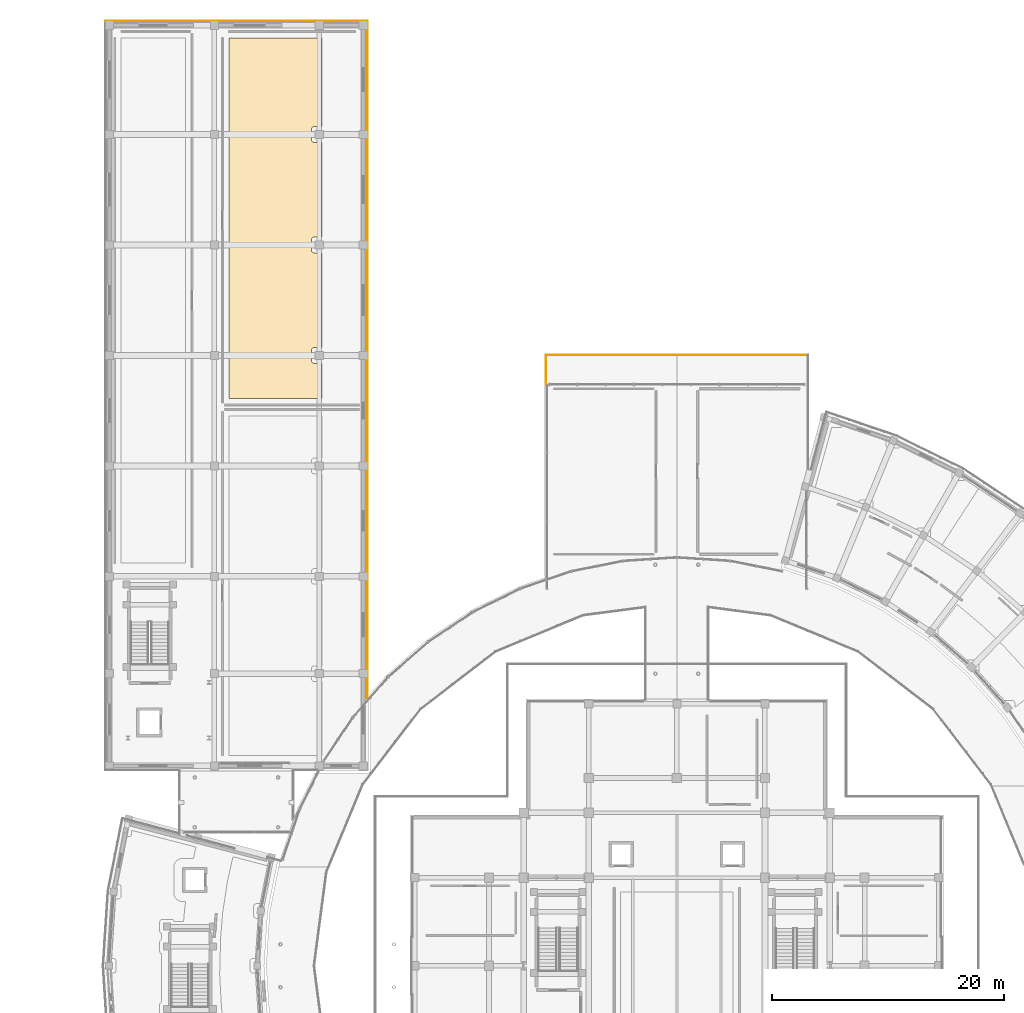
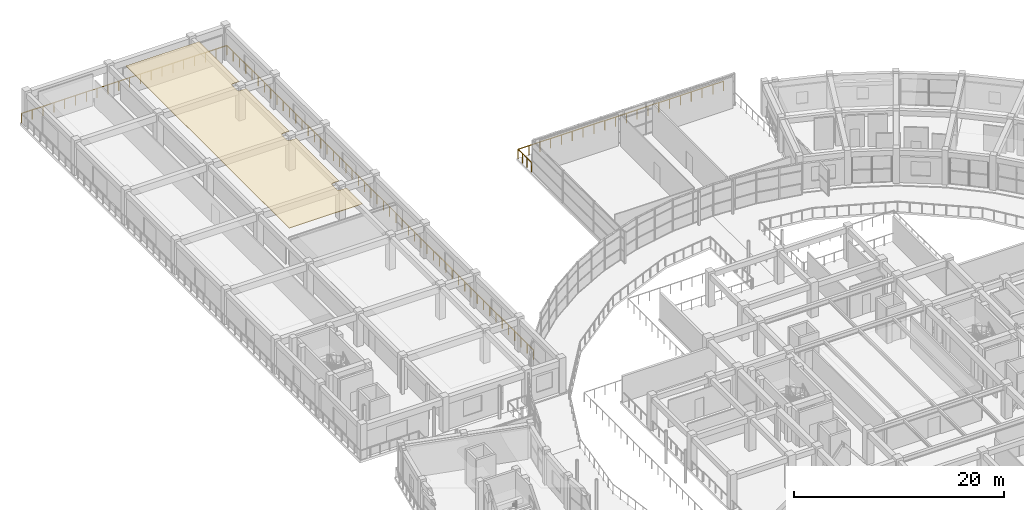
# One storey, part 83 of 83: 4 railings, 1 covering.
"""IFC4 building model written with IfcOpenShell, lengths in metres."""

from ifc_helpers import new_model, si_unit, direction, frame, origin, origin_2d, place, context, subcontext, project, spatial, polyline, rectangle, outline, extrude, material, layer, layer_set, type_object, element, save


model = new_model("IFC4")

# Units and contexts
model_context = context("Model", 3, precision=1e-05, world=origin(), true_north=direction((0.0, 1.0)))
body_context = subcontext(model_context, "Body", "Model", "MODEL_VIEW")
ifc_project = project(units=[si_unit("LENGTHUNIT", "METRE"), si_unit("AREAUNIT", "SQUARE_METRE"), si_unit("VOLUMEUNIT", "CUBIC_METRE"), si_unit("PLANEANGLEUNIT", "RADIAN"), si_unit("MASSUNIT", "GRAM", prefix="KILO")], contexts=[model_context])

# Site, building, storey
site_placement = place(None, origin())
site = spatial("IfcSite", under=ifc_project, at=site_placement, CompositionType="ELEMENT")
building_placement = place(site_placement, origin())
building = spatial("IfcBuilding", under=site, at=building_placement, Name="Saryqyr Civic Hall", CompositionType="ELEMENT")
storey_placement = place(building_placement, frame((0.0, 0.0, 9.14990234375)))
storey = spatial("IfcBuildingStorey", under=building, at=storey_placement, Name="L02", CompositionType="ELEMENT", Elevation=9.14990234375)

# Covering
ifc_material_1 = material(Name="Mineral-fibre acoustic ceiling tile", Category="acoustic_tile")
ifc_layer_1 = layer(ifc_material_1, 0.06005859375, Name="Mineral-fibre acoustic ceiling tile")
ifc_layer_set_1 = layer_set([ifc_layer_1], Name="Mineral-fibre acoustic ceiling tile")
covering_type = type_object("IfcCoveringType", Name="INT-COV-CEIL-60", PredefinedType="CEILING", material=ifc_layer_set_1)
covering_placement = place(storey_placement, frame((0.0, 0.0, 3.72998046875)))
element("IfcCovering", 1, at=covering_placement, inside=storey, type_object=covering_type, Name="Acoustic ceiling Parliamentary Papers Reading Room", PredefinedType="CEILING", context=body_context, shape_type="SweptSolid", body=[
    extrude(outline(polyline([(18.35009765625, 132.949951171875), (18.35009765625, 164.050048828125), (26.39990234375, 164.050048828125), (26.39990234375, 156.39990234375), (25.719970703125, 156.39990234375), (25.695556640625, 156.398681640625), (25.671142578125, 156.395263671875), (25.6474609375, 156.38916015625), (25.624267578125, 156.381103515625), (25.602294921875, 156.37060546875), (25.5810546875, 156.35791015625), (25.561279296875, 156.34326171875), (25.543212890625, 156.326904296875), (25.526611328125, 156.30859375), (25.51220703125, 156.288818359375), (25.49951171875, 156.267822265625), (25.489013671875, 156.24560546875), (25.480712890625, 156.22265625), (25.474853515625, 156.19873046875), (25.47119140625, 156.174560546875), (25.469970703125, 156.14990234375), (25.469970703125, 155.2900390625), (25.47119140625, 155.265380859375), (25.474853515625, 155.2412109375), (25.480712890625, 155.21728515625), (25.489013671875, 155.1943359375), (25.49951171875, 155.172119140625), (25.51220703125, 155.151123046875), (25.526611328125, 155.13134765625), (25.543212890625, 155.11328125), (25.561279296875, 155.0966796875), (25.5810546875, 155.08203125), (25.602294921875, 155.069580078125), (25.624267578125, 155.05908203125), (25.6474609375, 155.05078125), (25.671142578125, 155.044921875), (25.695556640625, 155.041259765625), (25.719970703125, 155.0400390625), (26.39990234375, 155.0400390625), (26.39990234375, 146.8701171875), (25.719970703125, 146.8701171875), (25.695556640625, 146.868896484375), (25.671142578125, 146.865234375), (25.6474609375, 146.859130859375), (25.624267578125, 146.85107421875), (25.602294921875, 146.840576171875), (25.5810546875, 146.827880859375), (25.561279296875, 146.813232421875), (25.543212890625, 146.796875), (25.526611328125, 146.778564453125), (25.51220703125, 146.7587890625), (25.49951171875, 146.73779296875), (25.489013671875, 146.7158203125), (25.480712890625, 146.692626953125), (25.474853515625, 146.668701171875), (25.47119140625, 146.64453125), (25.469970703125, 146.6201171875), (25.469970703125, 145.760009765625), (25.47119140625, 145.735595703125), (25.474853515625, 145.711181640625), (25.480712890625, 145.6875), (25.489013671875, 145.664306640625), (25.49951171875, 145.64208984375), (25.51220703125, 145.62109375), (25.526611328125, 145.601318359375), (25.543212890625, 145.583251953125), (25.561279296875, 145.566650390625), (25.5810546875, 145.552001953125), (25.602294921875, 145.53955078125), (25.624267578125, 145.529052734375), (25.6474609375, 145.520751953125), (25.671142578125, 145.514892578125), (25.695556640625, 145.51123046875), (25.719970703125, 145.510009765625), (26.39990234375, 145.510009765625), (26.39990234375, 137.340087890625), (25.719970703125, 137.340087890625), (25.695556640625, 137.3388671875), (25.671142578125, 137.335205078125), (25.6474609375, 137.3291015625), (25.624267578125, 137.321044921875), (25.602294921875, 137.310546875), (25.5810546875, 137.2978515625), (25.561279296875, 137.283203125), (25.543212890625, 137.266845703125), (25.526611328125, 137.24853515625), (25.51220703125, 137.22900390625), (25.49951171875, 137.207763671875), (25.489013671875, 137.185791015625), (25.480712890625, 137.16259765625), (25.474853515625, 137.138916015625), (25.47119140625, 137.114501953125), (25.469970703125, 137.090087890625), (25.469970703125, 136.22998046875), (25.47119140625, 136.20556640625), (25.474853515625, 136.18115234375), (25.480712890625, 136.157470703125), (25.489013671875, 136.13427734375), (25.49951171875, 136.1123046875), (25.51220703125, 136.091064453125), (25.526611328125, 136.0712890625), (25.543212890625, 136.05322265625), (25.561279296875, 136.03662109375), (25.5810546875, 136.022216796875), (25.602294921875, 136.009521484375), (25.624267578125, 135.9990234375), (25.6474609375, 135.99072265625), (25.671142578125, 135.98486328125), (25.695556640625, 135.981201171875), (25.719970703125, 135.97998046875), (26.39990234375, 135.97998046875), (26.39990234375, 132.949951171875), (18.35009765625, 132.949951171875)])), origin(), (0.0, 0.0, 1.0), 0.06005859375),
])

# Railings
ifc_material_2 = material(Name="Warm brushed brass and laminated glass", Category="glass")
ifc_layer_2 = layer(ifc_material_2, 0.06005859375, Name="Warm brushed brass and laminated glass")
ifc_layer_set_2 = layer_set([ifc_layer_2], Name="Warm brushed brass and laminated glass")
railing_type = type_object("IfcRailingType", Name="INT-RLG-BAL-1100", PredefinedType="BALUSTRADE", material=ifc_layer_set_2)
railing_1_placement = place(storey_placement, frame((7.699951171875, 165.5, 0.0)))
element("IfcRailing", 2, at=railing_1_placement, inside=storey, type_object=railing_type, Name="Interior deck safety balustrade L02-017", PredefinedType="BALUSTRADE", context=body_context, shape_type="SweptSolid", body=[
    extrude(rectangle(XDim=0.048095703125, YDim=0.048095703125, at=origin_2d()), frame((0.0, 0.0, 1.09619140625), z_axis=(1.0, 0.0, 0.0), x_axis=(0.0, 1.0, 0.0)), (0.0, 0.0, 1.0), 22.60009765625),
    extrude(rectangle(XDim=0.0419921875, YDim=0.0419921875, at=origin_2d()), origin(), (0.0, 0.0, 1.0), 1.072021484375),
    extrude(rectangle(XDim=0.0419921875, YDim=0.0419921875, at=origin_2d()), frame((1.189453125, 0.0, 0.0)), (0.0, 0.0, 1.0), 1.072021484375),
    extrude(rectangle(XDim=0.0419921875, YDim=0.0419921875, at=origin_2d()), frame((2.37890625, 0.0, 0.0)), (0.0, 0.0, 1.0), 1.072021484375),
    extrude(rectangle(XDim=0.0419921875, YDim=0.0419921875, at=origin_2d()), frame((3.568359375, 0.0, 0.0)), (0.0, 0.0, 1.0), 1.072021484375),
    extrude(rectangle(XDim=0.0419921875, YDim=0.0419921875, at=origin_2d()), frame((4.7578125, 0.0, 0.0)), (0.0, 0.0, 1.0), 1.072021484375),
    extrude(rectangle(XDim=0.0419921875, YDim=0.0419921875, at=origin_2d()), frame((5.947509765625, 0.0, 0.0)), (0.0, 0.0, 1.0), 1.072021484375),
    extrude(rectangle(XDim=0.0419921875, YDim=0.0419921875, at=origin_2d()), frame((7.136962890625, 0.0, 0.0)), (0.0, 0.0, 1.0), 1.072021484375),
    extrude(rectangle(XDim=0.0419921875, YDim=0.0419921875, at=origin_2d()), frame((8.326416015625, 0.0, 0.0)), (0.0, 0.0, 1.0), 1.072021484375),
    extrude(rectangle(XDim=0.0419921875, YDim=0.0419921875, at=origin_2d()), frame((9.515869140625, 0.0, 0.0)), (0.0, 0.0, 1.0), 1.072021484375),
    extrude(rectangle(XDim=0.0419921875, YDim=0.0419921875, at=origin_2d()), frame((10.705322265625, 0.0, 0.0)), (0.0, 0.0, 1.0), 1.072021484375),
    extrude(rectangle(XDim=0.0419921875, YDim=0.0419921875, at=origin_2d()), frame((11.894775390625, 0.0, 0.0)), (0.0, 0.0, 1.0), 1.072021484375),
    extrude(rectangle(XDim=0.0419921875, YDim=0.0419921875, at=origin_2d()), frame((13.084228515625, 0.0, 0.0)), (0.0, 0.0, 1.0), 1.072021484375),
    extrude(rectangle(XDim=0.0419921875, YDim=0.0419921875, at=origin_2d()), frame((14.273681640625, 0.0, 0.0)), (0.0, 0.0, 1.0), 1.072021484375),
    extrude(rectangle(XDim=0.0419921875, YDim=0.0419921875, at=origin_2d()), frame((15.463134765625, 0.0, 0.0)), (0.0, 0.0, 1.0), 1.072021484375),
    extrude(rectangle(XDim=0.0419921875, YDim=0.0419921875, at=origin_2d()), frame((16.652587890625, 0.0, 0.0)), (0.0, 0.0, 1.0), 1.072021484375),
    extrude(rectangle(XDim=0.0419921875, YDim=0.0419921875, at=origin_2d()), frame((17.84228515625, 0.0, 0.0)), (0.0, 0.0, 1.0), 1.072021484375),
    extrude(rectangle(XDim=0.0419921875, YDim=0.0419921875, at=origin_2d()), frame((19.03173828125, 0.0, 0.0)), (0.0, 0.0, 1.0), 1.072021484375),
    extrude(rectangle(XDim=0.0419921875, YDim=0.0419921875, at=origin_2d()), frame((20.22119140625, 0.0, 0.0)), (0.0, 0.0, 1.0), 1.072021484375),
    extrude(rectangle(XDim=0.0419921875, YDim=0.0419921875, at=origin_2d()), frame((21.41064453125, 0.0, 0.0)), (0.0, 0.0, 1.0), 1.072021484375),
    extrude(rectangle(XDim=0.0419921875, YDim=0.0419921875, at=origin_2d()), frame((22.60009765625, 0.0, 0.0)), (0.0, 0.0, 1.0), 1.072021484375),
])
railing_2_placement = place(storey_placement, frame((30.300048828125, 165.5, 0.0)))
element("IfcRailing", 3, at=railing_2_placement, inside=storey, type_object=railing_type, Name="Interior deck safety balustrade L02-018", PredefinedType="BALUSTRADE", context=body_context, shape_type="SweptSolid", body=[
    extrude(rectangle(XDim=0.048095703125, YDim=0.048095703125, at=origin_2d()), frame((0.0, 0.0, 1.09619140625), z_axis=(0.0, -1.0, 0.0), x_axis=(1.0, 0.0, 0.0)), (0.0, 0.0, 1.0), 58.400634765625),
    extrude(rectangle(XDim=0.0419921875, YDim=0.0419921875, at=origin_2d()), origin(), (0.0, 0.0, 1.0), 1.072021484375),
    extrude(rectangle(XDim=0.0419921875, YDim=0.0419921875, at=origin_2d()), frame((0.0, -1.19189453125, 0.0)), (0.0, 0.0, 1.0), 1.072021484375),
    extrude(rectangle(XDim=0.0419921875, YDim=0.0419921875, at=origin_2d()), frame((0.0, -2.3837890625, 0.0)), (0.0, 0.0, 1.0), 1.072021484375),
    extrude(rectangle(XDim=0.0419921875, YDim=0.0419921875, at=origin_2d()), frame((0.0, -3.575439453125, 0.0)), (0.0, 0.0, 1.0), 1.072021484375),
    extrude(rectangle(XDim=0.0419921875, YDim=0.0419921875, at=origin_2d()), frame((0.0, -4.767333984375, 0.0)), (0.0, 0.0, 1.0), 1.072021484375),
    extrude(rectangle(XDim=0.0419921875, YDim=0.0419921875, at=origin_2d()), frame((0.0, -5.959228515625, 0.0)), (0.0, 0.0, 1.0), 1.072021484375),
    extrude(rectangle(XDim=0.0419921875, YDim=0.0419921875, at=origin_2d()), frame((0.0, -7.151123046875, 0.0)), (0.0, 0.0, 1.0), 1.072021484375),
    extrude(rectangle(XDim=0.0419921875, YDim=0.0419921875, at=origin_2d()), frame((0.0, -8.343017578125, 0.0)), (0.0, 0.0, 1.0), 1.072021484375),
    extrude(rectangle(XDim=0.0419921875, YDim=0.0419921875, at=origin_2d()), frame((0.0, -9.534912109375, 0.0)), (0.0, 0.0, 1.0), 1.072021484375),
    extrude(rectangle(XDim=0.0419921875, YDim=0.0419921875, at=origin_2d()), frame((0.0, -10.7265625, 0.0)), (0.0, 0.0, 1.0), 1.072021484375),
    extrude(rectangle(XDim=0.0419921875, YDim=0.0419921875, at=origin_2d()), frame((0.0, -11.91845703125, 0.0)), (0.0, 0.0, 1.0), 1.072021484375),
    extrude(rectangle(XDim=0.0419921875, YDim=0.0419921875, at=origin_2d()), frame((0.0, -13.1103515625, 0.0)), (0.0, 0.0, 1.0), 1.072021484375),
    extrude(rectangle(XDim=0.0419921875, YDim=0.0419921875, at=origin_2d()), frame((0.0, -14.30224609375, 0.0)), (0.0, 0.0, 1.0), 1.072021484375),
    extrude(rectangle(XDim=0.0419921875, YDim=0.0419921875, at=origin_2d()), frame((0.0, -15.494140625, 0.0)), (0.0, 0.0, 1.0), 1.072021484375),
    extrude(rectangle(XDim=0.0419921875, YDim=0.0419921875, at=origin_2d()), frame((0.0, -16.685791015625, 0.0)), (0.0, 0.0, 1.0), 1.072021484375),
    extrude(rectangle(XDim=0.0419921875, YDim=0.0419921875, at=origin_2d()), frame((0.0, -17.877685546875, 0.0)), (0.0, 0.0, 1.0), 1.072021484375),
    extrude(rectangle(XDim=0.0419921875, YDim=0.0419921875, at=origin_2d()), frame((0.0, -19.069580078125, 0.0)), (0.0, 0.0, 1.0), 1.072021484375),
    extrude(rectangle(XDim=0.0419921875, YDim=0.0419921875, at=origin_2d()), frame((0.0, -20.261474609375, 0.0)), (0.0, 0.0, 1.0), 1.072021484375),
    extrude(rectangle(XDim=0.0419921875, YDim=0.0419921875, at=origin_2d()), frame((0.0, -21.453369140625, 0.0)), (0.0, 0.0, 1.0), 1.072021484375),
    extrude(rectangle(XDim=0.0419921875, YDim=0.0419921875, at=origin_2d()), frame((0.0, -22.645263671875, 0.0)), (0.0, 0.0, 1.0), 1.072021484375),
    extrude(rectangle(XDim=0.0419921875, YDim=0.0419921875, at=origin_2d()), frame((0.0, -23.8369140625, 0.0)), (0.0, 0.0, 1.0), 1.072021484375),
    extrude(rectangle(XDim=0.0419921875, YDim=0.0419921875, at=origin_2d()), frame((0.0, -25.02880859375, 0.0)), (0.0, 0.0, 1.0), 1.072021484375),
    extrude(rectangle(XDim=0.0419921875, YDim=0.0419921875, at=origin_2d()), frame((0.0, -26.220703125, 0.0)), (0.0, 0.0, 1.0), 1.072021484375),
    extrude(rectangle(XDim=0.0419921875, YDim=0.0419921875, at=origin_2d()), frame((0.0, -27.41259765625, 0.0)), (0.0, 0.0, 1.0), 1.072021484375),
    extrude(rectangle(XDim=0.0419921875, YDim=0.0419921875, at=origin_2d()), frame((0.0, -28.6044921875, 0.0)), (0.0, 0.0, 1.0), 1.072021484375),
    extrude(rectangle(XDim=0.0419921875, YDim=0.0419921875, at=origin_2d()), frame((0.0, -29.796142578125, 0.0)), (0.0, 0.0, 1.0), 1.072021484375),
    extrude(rectangle(XDim=0.0419921875, YDim=0.0419921875, at=origin_2d()), frame((0.0, -30.988037109375, 0.0)), (0.0, 0.0, 1.0), 1.072021484375),
    extrude(rectangle(XDim=0.0419921875, YDim=0.0419921875, at=origin_2d()), frame((0.0, -32.179931640625, 0.0)), (0.0, 0.0, 1.0), 1.072021484375),
    extrude(rectangle(XDim=0.0419921875, YDim=0.0419921875, at=origin_2d()), frame((0.0, -33.371826171875, 0.0)), (0.0, 0.0, 1.0), 1.072021484375),
    extrude(rectangle(XDim=0.0419921875, YDim=0.0419921875, at=origin_2d()), frame((0.0, -34.563720703125, 0.0)), (0.0, 0.0, 1.0), 1.072021484375),
    extrude(rectangle(XDim=0.0419921875, YDim=0.0419921875, at=origin_2d()), frame((0.0, -35.75537109375, 0.0)), (0.0, 0.0, 1.0), 1.072021484375),
    extrude(rectangle(XDim=0.0419921875, YDim=0.0419921875, at=origin_2d()), frame((0.0, -36.947265625, 0.0)), (0.0, 0.0, 1.0), 1.072021484375),
    extrude(rectangle(XDim=0.0419921875, YDim=0.0419921875, at=origin_2d()), frame((0.0, -38.13916015625, 0.0)), (0.0, 0.0, 1.0), 1.072021484375),
    extrude(rectangle(XDim=0.0419921875, YDim=0.0419921875, at=origin_2d()), frame((0.0, -39.3310546875, 0.0)), (0.0, 0.0, 1.0), 1.072021484375),
    extrude(rectangle(XDim=0.0419921875, YDim=0.0419921875, at=origin_2d()), frame((0.0, -40.52294921875, 0.0)), (0.0, 0.0, 1.0), 1.072021484375),
    extrude(rectangle(XDim=0.0419921875, YDim=0.0419921875, at=origin_2d()), frame((0.0, -41.71484375, 0.0)), (0.0, 0.0, 1.0), 1.072021484375),
    extrude(rectangle(XDim=0.0419921875, YDim=0.0419921875, at=origin_2d()), frame((0.0, -42.906494140625, 0.0)), (0.0, 0.0, 1.0), 1.072021484375),
    extrude(rectangle(XDim=0.0419921875, YDim=0.0419921875, at=origin_2d()), frame((0.0, -44.098388671875, 0.0)), (0.0, 0.0, 1.0), 1.072021484375),
    extrude(rectangle(XDim=0.0419921875, YDim=0.0419921875, at=origin_2d()), frame((0.0, -45.290283203125, 0.0)), (0.0, 0.0, 1.0), 1.072021484375),
    extrude(rectangle(XDim=0.0419921875, YDim=0.0419921875, at=origin_2d()), frame((0.0, -46.482177734375, 0.0)), (0.0, 0.0, 1.0), 1.072021484375),
    extrude(rectangle(XDim=0.0419921875, YDim=0.0419921875, at=origin_2d()), frame((0.0, -47.674072265625, 0.0)), (0.0, 0.0, 1.0), 1.072021484375),
    extrude(rectangle(XDim=0.0419921875, YDim=0.0419921875, at=origin_2d()), frame((0.0, -48.86572265625, 0.0)), (0.0, 0.0, 1.0), 1.072021484375),
    extrude(rectangle(XDim=0.0419921875, YDim=0.0419921875, at=origin_2d()), frame((0.0, -50.0576171875, 0.0)), (0.0, 0.0, 1.0), 1.072021484375),
    extrude(rectangle(XDim=0.0419921875, YDim=0.0419921875, at=origin_2d()), frame((0.0, -51.24951171875, 0.0)), (0.0, 0.0, 1.0), 1.072021484375),
    extrude(rectangle(XDim=0.0419921875, YDim=0.0419921875, at=origin_2d()), frame((0.0, -52.44140625, 0.0)), (0.0, 0.0, 1.0), 1.072021484375),
    extrude(rectangle(XDim=0.0419921875, YDim=0.0419921875, at=origin_2d()), frame((0.0, -53.63330078125, 0.0)), (0.0, 0.0, 1.0), 1.072021484375),
    extrude(rectangle(XDim=0.0419921875, YDim=0.0419921875, at=origin_2d()), frame((0.0, -54.8251953125, 0.0)), (0.0, 0.0, 1.0), 1.072021484375),
    extrude(rectangle(XDim=0.0419921875, YDim=0.0419921875, at=origin_2d()), frame((0.0, -56.016845703125, 0.0)), (0.0, 0.0, 1.0), 1.072021484375),
    extrude(rectangle(XDim=0.0419921875, YDim=0.0419921875, at=origin_2d()), frame((0.0, -57.208740234375, 0.0)), (0.0, 0.0, 1.0), 1.072021484375),
    extrude(rectangle(XDim=0.0419921875, YDim=0.0419921875, at=origin_2d()), frame((0.0, -58.400634765625, 0.0)), (0.0, 0.0, 1.0), 1.072021484375),
])
railing_3_placement = place(storey_placement, frame((45.699951171875, 134.14990234375, 0.0)))
element("IfcRailing", 4, at=railing_3_placement, inside=storey, type_object=railing_type, Name="Interior deck safety balustrade L02-019", PredefinedType="BALUSTRADE", context=body_context, shape_type="SweptSolid", body=[
    extrude(rectangle(XDim=0.048095703125, YDim=0.048095703125, at=origin_2d()), frame((0.0, 0.0, 1.09619140625), z_axis=(0.0, 1.0, 0.0), x_axis=(-1.0, 0.0, 0.0)), (0.0, 0.0, 1.0), 2.550048828125),
    extrude(rectangle(XDim=0.0419921875, YDim=0.0419921875, at=origin_2d()), origin(), (0.0, 0.0, 1.0), 1.072021484375),
    extrude(rectangle(XDim=0.0419921875, YDim=0.0419921875, at=origin_2d()), frame((0.0, 0.85009765625, 0.0)), (0.0, 0.0, 1.0), 1.072021484375),
    extrude(rectangle(XDim=0.0419921875, YDim=0.0419921875, at=origin_2d()), frame((0.0, 1.699951171875, 0.0)), (0.0, 0.0, 1.0), 1.072021484375),
    extrude(rectangle(XDim=0.0419921875, YDim=0.0419921875, at=origin_2d()), frame((0.0, 2.550048828125, 0.0)), (0.0, 0.0, 1.0), 1.072021484375),
])
railing_4_placement = place(storey_placement, frame((45.699951171875, 136.699951171875, 0.0)))
element("IfcRailing", 5, at=railing_4_placement, inside=storey, type_object=railing_type, Name="Interior deck safety balustrade L02-020", PredefinedType="BALUSTRADE", context=body_context, shape_type="SweptSolid", body=[
    extrude(rectangle(XDim=0.048095703125, YDim=0.048095703125, at=origin_2d()), frame((0.0, 0.0, 1.09619140625), z_axis=(1.0, 0.0, 0.0), x_axis=(0.0, 1.0, 0.0)), (0.0, 0.0, 1.0), 22.60009765625),
    extrude(rectangle(XDim=0.0419921875, YDim=0.0419921875, at=origin_2d()), origin(), (0.0, 0.0, 1.0), 1.072021484375),
    extrude(rectangle(XDim=0.0419921875, YDim=0.0419921875, at=origin_2d()), frame((1.189453125, 0.0, 0.0)), (0.0, 0.0, 1.0), 1.072021484375),
    extrude(rectangle(XDim=0.0419921875, YDim=0.0419921875, at=origin_2d()), frame((2.37890625, 0.0, 0.0)), (0.0, 0.0, 1.0), 1.072021484375),
    extrude(rectangle(XDim=0.0419921875, YDim=0.0419921875, at=origin_2d()), frame((3.568359375, 0.0, 0.0)), (0.0, 0.0, 1.0), 1.072021484375),
    extrude(rectangle(XDim=0.0419921875, YDim=0.0419921875, at=origin_2d()), frame((4.7578125, 0.0, 0.0)), (0.0, 0.0, 1.0), 1.072021484375),
    extrude(rectangle(XDim=0.0419921875, YDim=0.0419921875, at=origin_2d()), frame((5.947509765625, 0.0, 0.0)), (0.0, 0.0, 1.0), 1.072021484375),
    extrude(rectangle(XDim=0.0419921875, YDim=0.0419921875, at=origin_2d()), frame((7.136962890625, 0.0, 0.0)), (0.0, 0.0, 1.0), 1.072021484375),
    extrude(rectangle(XDim=0.0419921875, YDim=0.0419921875, at=origin_2d()), frame((8.326416015625, 0.0, 0.0)), (0.0, 0.0, 1.0), 1.072021484375),
    extrude(rectangle(XDim=0.0419921875, YDim=0.0419921875, at=origin_2d()), frame((9.515869140625, 0.0, 0.0)), (0.0, 0.0, 1.0), 1.072021484375),
    extrude(rectangle(XDim=0.0419921875, YDim=0.0419921875, at=origin_2d()), frame((10.705322265625, 0.0, 0.0)), (0.0, 0.0, 1.0), 1.072021484375),
    extrude(rectangle(XDim=0.0419921875, YDim=0.0419921875, at=origin_2d()), frame((11.894775390625, 0.0, 0.0)), (0.0, 0.0, 1.0), 1.072021484375),
    extrude(rectangle(XDim=0.0419921875, YDim=0.0419921875, at=origin_2d()), frame((13.084228515625, 0.0, 0.0)), (0.0, 0.0, 1.0), 1.072021484375),
    extrude(rectangle(XDim=0.0419921875, YDim=0.0419921875, at=origin_2d()), frame((14.273681640625, 0.0, 0.0)), (0.0, 0.0, 1.0), 1.072021484375),
    extrude(rectangle(XDim=0.0419921875, YDim=0.0419921875, at=origin_2d()), frame((15.463134765625, 0.0, 0.0)), (0.0, 0.0, 1.0), 1.072021484375),
    extrude(rectangle(XDim=0.0419921875, YDim=0.0419921875, at=origin_2d()), frame((16.652587890625, 0.0, 0.0)), (0.0, 0.0, 1.0), 1.072021484375),
    extrude(rectangle(XDim=0.0419921875, YDim=0.0419921875, at=origin_2d()), frame((17.84228515625, 0.0, 0.0)), (0.0, 0.0, 1.0), 1.072021484375),
    extrude(rectangle(XDim=0.0419921875, YDim=0.0419921875, at=origin_2d()), frame((19.03173828125, 0.0, 0.0)), (0.0, 0.0, 1.0), 1.072021484375),
    extrude(rectangle(XDim=0.0419921875, YDim=0.0419921875, at=origin_2d()), frame((20.22119140625, 0.0, 0.0)), (0.0, 0.0, 1.0), 1.072021484375),
    extrude(rectangle(XDim=0.0419921875, YDim=0.0419921875, at=origin_2d()), frame((21.41064453125, 0.0, 0.0)), (0.0, 0.0, 1.0), 1.072021484375),
    extrude(rectangle(XDim=0.0419921875, YDim=0.0419921875, at=origin_2d()), frame((22.60009765625, 0.0, 0.0)), (0.0, 0.0, 1.0), 1.072021484375),
])

save(model, "model.ifc")
